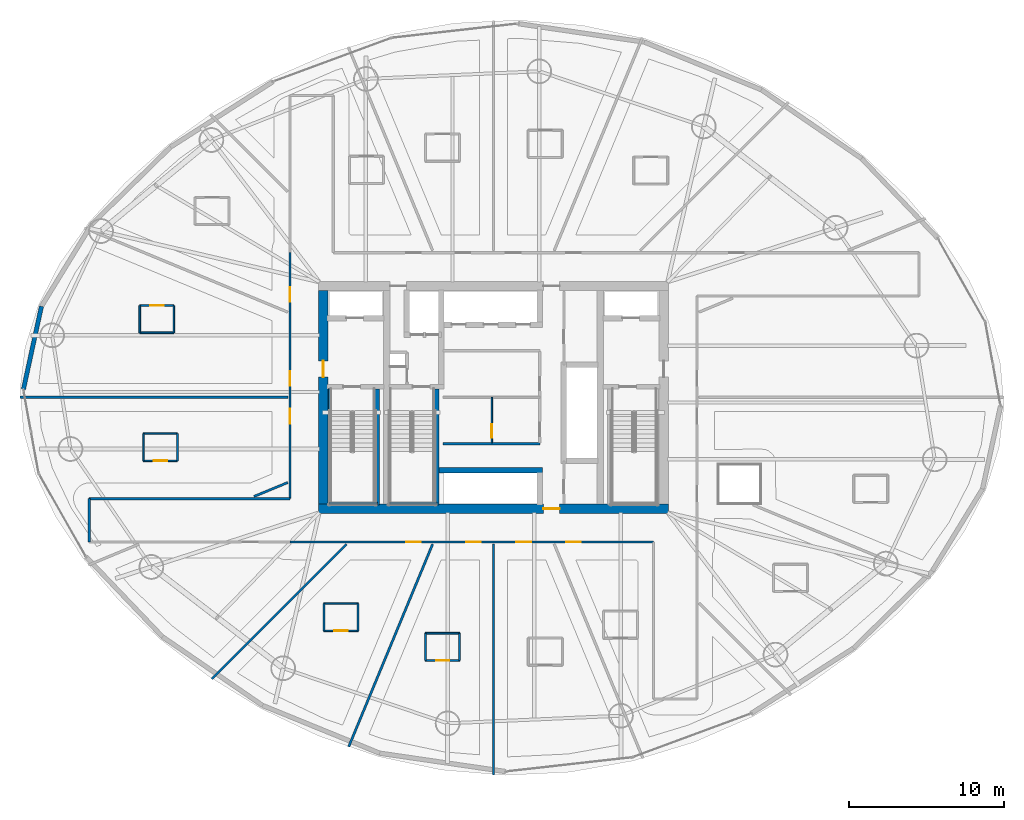
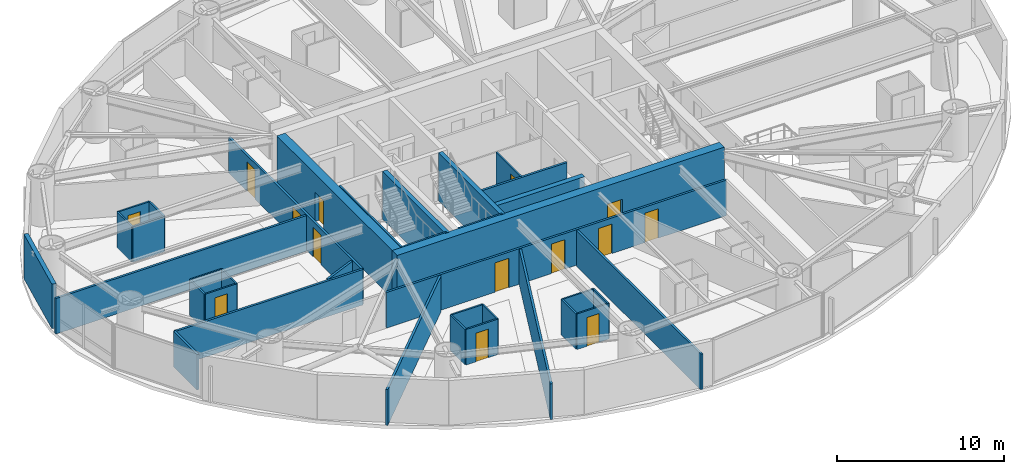
# One storey, part 19 of 27: 36 walls, 14 doors, 14 openings.
"""IFC4 building model written with IfcOpenShell, lengths in metres."""

from ifc_helpers import new_model, si_unit, direction, frame, frame_2d, origin, place, context, subcontext, project, spatial, rectangle, extrude, material, layer, layer_set, type_object, element, fill, save


model = new_model("IFC4")

# Units and contexts
model_context = context("Model", 3, precision=1e-05, world=origin(), true_north=direction((0.0, 1.0)))
body_context = subcontext(model_context, "Body", "Model", "MODEL_VIEW")
ifc_project = project(units=[si_unit("LENGTHUNIT", "METRE"), si_unit("AREAUNIT", "SQUARE_METRE"), si_unit("VOLUMEUNIT", "CUBIC_METRE"), si_unit("PLANEANGLEUNIT", "RADIAN"), si_unit("MASSUNIT", "GRAM", prefix="KILO")], contexts=[model_context])

# Site, building, storey
site_placement = place(None, origin())
site = spatial("IfcSite", under=ifc_project, at=site_placement, CompositionType="ELEMENT")
building_placement = place(site_placement, origin())
building = spatial("IfcBuilding", under=site, at=building_placement, Name="Bramvorn Convention Spire", CompositionType="ELEMENT")
storey_placement = place(building_placement, frame((0.0, 0.0, 41.39990234375)))
storey = spatial("IfcBuildingStorey", under=building, at=storey_placement, Name="L07", CompositionType="ELEMENT", Elevation=41.39990234375)

# Wall, opening, door
ifc_material_1 = material(Name="Concrete C60/70", Category="concrete")
ifc_layer_1 = layer(ifc_material_1, 0.60009765625)
ifc_layer_set_1 = layer_set([ifc_layer_1], Name="Concrete C60/70 - WL-CORE-600")
wall_type_1 = type_object("IfcWallType", Name="WL-CORE-600", PredefinedType="SHEAR", material=ifc_layer_set_1)
wall_1_placement = place(storey_placement, frame((26.699951171875, 18.800048828125, 0.0), z_axis=(0.0, 0.0, 1.0), x_axis=(1.0, 0.0, 0.0)))
wall_1 = element("IfcWall", 1, at=wall_1_placement, inside=storey, type_object=wall_type_1, Name="L07 South RC core shear wall", PredefinedType="SHEAR", context=body_context, shape_type="SweptSolid", body=[
    extrude(rectangle(XDim=22.60009765625, YDim=0.60009765625, at=frame_2d((11.300048828125, 0.0))), origin(), (0.0, 0.0, 1.0), 3.5),
])
opening_1_placement = place(wall_1_placement, frame((14.52001953125, 0.0, 0.0)))
opening_1 = element("IfcOpeningElement", 2, at=opening_1_placement, cuts=wall_1, Name="Opening DL-105", PredefinedType="OPENING", context=body_context, shape_type="SweptSolid", body=[
    extrude(rectangle(XDim=1.050048828125, YDim=2.14990234375, at=frame_2d((0.52490234375, 1.074951171875))), frame((0.0, 0.31005859375, 0.0), z_axis=(0.0, -1.0, 0.0), x_axis=(1.0, 0.0, 0.0)), (0.0, 0.0, 1.0), 0.6201171875),
])
ifc_material_2 = material(Name="Smoke-Sealed Fire Lobby Timber-Core Door", Category="wood")
door_type_1 = type_object("IfcDoorType", Name="DR-LOBBY-1050", OperationType="NOTDEFINED", PredefinedType="DOOR", material=ifc_material_2)
door_1_placement = place(opening_1_placement, origin())
door_1 = element("IfcDoor", 3, at=door_1_placement, inside=storey, type_object=door_type_1, Name="L07 South Lift Lobby fire door", OperationType="SINGLE_SWING_RIGHT", OverallHeight=2.14990234375, OverallWidth=1.050048828125, PredefinedType="DOOR", context=body_context, shape_type="SweptSolid", body=[
    extrude(rectangle(XDim=1.050048828125, YDim=2.14990234375, at=frame_2d((0.52490234375, 1.074951171875))), frame((0.0, 0.02490234375, 0.0), z_axis=(0.0, -1.0, 0.0), x_axis=(1.0, 0.0, 0.0)), (0.0, 0.0, 1.0), 0.050048828125),
])
fill(opening_1, door_1)

wall_2_placement = place(storey_placement, frame((27.0, 19.10009765625, 0.0), z_axis=(0.0, 0.0, 1.0), x_axis=(0.0, 1.0, 0.0)))
wall_2 = element("IfcWall", 4, at=wall_2_placement, inside=storey, type_object=wall_type_1, Name="L07 West RC core shear wall", PredefinedType="SHEAR", context=body_context, shape_type="SweptSolid", body=[
    extrude(rectangle(XDim=13.7998046875, YDim=0.60009765625, at=frame_2d((6.89990234375, 0.0))), origin(), (0.0, 0.0, 1.0), 3.5),
])
opening_2_placement = place(wall_2_placement, frame((8.199951171875, 0.0, 0.0)))
opening_2 = element("IfcOpeningElement", 5, at=opening_2_placement, cuts=wall_2, Name="Opening DL-105", PredefinedType="OPENING", context=body_context, shape_type="SweptSolid", body=[
    extrude(rectangle(XDim=1.050048828125, YDim=2.14990234375, at=frame_2d((0.52490234375, 1.074951171875))), frame((0.0, 0.31005859375, 0.0), z_axis=(0.0, -1.0, 0.0), x_axis=(1.0, 0.0, 0.0)), (0.0, 0.0, 1.0), 0.6201171875),
])
door_2_placement = place(opening_2_placement, origin())
door_2 = element("IfcDoor", 6, at=door_2_placement, inside=storey, type_object=door_type_1, Name="L07 West Firefighting Lobby corridor door", OperationType="SINGLE_SWING_RIGHT", OverallHeight=2.14990234375, OverallWidth=1.050048828125, PredefinedType="DOOR", context=body_context, shape_type="SweptSolid", body=[
    extrude(rectangle(XDim=1.050048828125, YDim=2.14990234375, at=frame_2d((0.52490234375, 1.074951171875))), frame((0.0, 0.02490234375, 0.0), z_axis=(0.0, -1.0, 0.0), x_axis=(1.0, 0.0, 0.0)), (0.0, 0.0, 1.0), 0.050048828125),
])
fill(opening_2, door_2)

# Walls
ifc_material_3 = material(Name="Concrete C50/60", Category="concrete")
ifc_layer_2 = layer(ifc_material_3, 0.35009765625)
ifc_layer_set_2 = layer_set([ifc_layer_2], Name="Concrete C50/60 - WL-CORE-INT-350")
wall_type_2 = type_object("IfcWallType", Name="WL-CORE-INT-350", PredefinedType="SHEAR", material=ifc_layer_set_2)
wall_3_placement = place(storey_placement, frame((34.489990234375, 21.300048828125, 0.0), z_axis=(0.0, 0.0, 1.0), x_axis=(1.0, 0.0, 0.0)))
element("IfcWall", 7, at=wall_3_placement, inside=storey, type_object=wall_type_2, Name="L07 Mid-rise bank north landing wall", PredefinedType="SHEAR", context=body_context, shape_type="SweptSolid", body=[
    extrude(rectangle(XDim=6.679931640625, YDim=0.35009765625, at=frame_2d((3.33984375, 0.0))), origin(), (0.0, 0.0, 1.0), 2.60009765625),
])
ifc_material_4 = material(Name="Precast Concrete C40/50 with Bronze Terracotta Rainscreen", Category="masonry")
ifc_layer_3 = layer(ifc_material_4, 0.300048828125)
ifc_layer_set_3 = layer_set([ifc_layer_3], Name="Precast Concrete C40/50 with Bronze Terracotta Rainscreen - WL-EXT-BRONZE-300")
wall_type_3 = type_object("IfcWallType", Name="WL-EXT-BRONZE-300", PredefinedType="SOLIDWALL", material=ifc_layer_set_3)
wall_4_placement = place(storey_placement, frame((7.624267578125, 26.503662109375, 0.0), z_axis=(0.0, 0.0, 1.0), x_axis=(0.211966847204, 0.977276857235, 0.0)))
element("IfcWall", 8, at=wall_4_placement, inside=storey, type_object=wall_type_3, Name="L07 expressed bronze Gothic lancet pier wall 12", PredefinedType="SOLIDWALL", context=body_context, shape_type="SweptSolid", body=[
    extrude(rectangle(XDim=5.49755859375, YDim=0.280029296875, at=frame_2d((2.748779296875, 0.0))), origin(), (0.0, 0.0, 1.0), 3.25),
])

# Wall, opening, door
ifc_material_5 = material(Name="Lightweight En-Suite & Wet-Wall Partition", Category="gypsum")
ifc_layer_4 = layer(ifc_material_5, 0.110107421875)
ifc_layer_set_4 = layer_set([ifc_layer_4], Name="Lightweight En-Suite & Wet-Wall Partition - WL-PART-110")
wall_type_4 = type_object("IfcWallType", Name="WL-PART-110", PredefinedType="PARTITIONING", material=ifc_layer_set_4)
wall_5_placement = place(storey_placement, frame((37.89990234375, 23.050048828125, 0.0), z_axis=(0.0, 0.0, 1.0), x_axis=(0.0, 1.0, 0.0)))
wall_5 = element("IfcWall", 9, at=wall_5_placement, inside=storey, type_object=wall_type_4, Name="L07 KA restroom subwall", PredefinedType="PARTITIONING", context=body_context, shape_type="SweptSolid", body=[
    extrude(rectangle(XDim=2.949951171875, YDim=0.110107421875, at=frame_2d((1.47509765625, 0.0))), origin(), (0.0, 0.0, 1.0), 2.60009765625),
])
opening_3_placement = place(wall_5_placement, frame((0.35009765625, 0.0, 0.0)))
opening_3 = element("IfcOpeningElement", 10, at=opening_3_placement, cuts=wall_5, Name="Opening DC-085", PredefinedType="OPENING", context=body_context, shape_type="SweptSolid", body=[
    extrude(rectangle(XDim=0.85009765625, YDim=2.10009765625, at=frame_2d((0.425048828125, 1.050048828125))), frame((0.0, 0.06494140625, 0.0), z_axis=(0.0, -1.0, 0.0), x_axis=(1.0, 0.0, 0.0)), (0.0, 0.0, 1.0), 0.130126953125),
])
ifc_material_6 = material(Name="Fire-Rated Core Washroom & IDF Door", Category="wood")
door_type_2 = type_object("IfcDoorType", Name="DR-CORE-850", OperationType="NOTDEFINED", PredefinedType="DOOR", material=ifc_material_6)
door_3_placement = place(opening_3_placement, origin())
door_3 = element("IfcDoor", 11, at=door_3_placement, inside=storey, type_object=door_type_2, Name="L07 Core IT Closet door", OperationType="SINGLE_SWING_LEFT", OverallHeight=2.10009765625, OverallWidth=0.85009765625, PredefinedType="DOOR", context=body_context, shape_type="SweptSolid", body=[
    extrude(rectangle(XDim=0.85009765625, YDim=2.10009765625, at=frame_2d((0.425048828125, 1.050048828125))), frame((0.0, 0.02490234375, 0.0), z_axis=(0.0, -1.0, 0.0), x_axis=(1.0, 0.0, 0.0)), (0.0, 0.0, 1.0), 0.050048828125),
])
fill(opening_3, door_3)

# Wall
wall_6_placement = place(storey_placement, frame((15.1494140625, 30.170654296875, 0.0), z_axis=(0.0, 0.0, 1.0), x_axis=(1.0, 0.0, 0.0)))
element("IfcWall", 12, at=wall_6_placement, inside=storey, type_object=wall_type_4, Name="Hotel Suite 0708 en-suite south wall", PredefinedType="PARTITIONING", context=body_context, shape_type="SweptSolid", body=[
    extrude(rectangle(XDim=2.2001953125, YDim=0.110107421875, at=frame_2d((1.10009765625, 0.0))), origin(), (0.0, 0.0, 1.0), 2.60009765625),
])

# Wall, opening, door
wall_7_placement = place(storey_placement, frame((15.1494140625, 31.9306640625, 0.0), z_axis=(0.0, 0.0, 1.0), x_axis=(1.0, 0.0, 0.0)))
wall_7 = element("IfcWall", 13, at=wall_7_placement, inside=storey, type_object=wall_type_4, Name="Hotel Suite 0708 en-suite north wall", PredefinedType="PARTITIONING", context=body_context, shape_type="SweptSolid", body=[
    extrude(rectangle(XDim=2.2001953125, YDim=0.110107421875, at=frame_2d((1.10009765625, 0.0))), origin(), (0.0, 0.0, 1.0), 2.60009765625),
])
opening_4_placement = place(wall_7_placement, frame((0.679931640625, 0.0, 0.0)))
opening_4 = element("IfcOpeningElement", 14, at=opening_4_placement, cuts=wall_7, Name="Opening DI-085", PredefinedType="OPENING", context=body_context, shape_type="SweptSolid", body=[
    extrude(rectangle(XDim=0.85009765625, YDim=2.10009765625, at=frame_2d((0.425048828125, 1.050048828125))), frame((0.0, 0.06494140625, 0.0), z_axis=(0.0, -1.0, 0.0), x_axis=(1.0, 0.0, 0.0)), (0.0, 0.0, 1.0), 0.130126953125),
])
ifc_material_7 = material(Name="En-Suite & Restroom Privacy Door", Category="wood")
door_type_3 = type_object("IfcDoorType", Name="DR-INT-850", OperationType="NOTDEFINED", PredefinedType="DOOR", material=ifc_material_7)
door_4_placement = place(opening_4_placement, origin())
door_4 = element("IfcDoor", 15, at=door_4_placement, inside=storey, type_object=door_type_3, Name="Hotel Suite 0708 En-Suite Bathroom door", OperationType="SINGLE_SWING_LEFT", OverallHeight=2.10009765625, OverallWidth=0.85009765625, PredefinedType="DOOR", context=body_context, shape_type="SweptSolid", body=[
    extrude(rectangle(XDim=0.85009765625, YDim=2.10009765625, at=frame_2d((0.425048828125, 1.050048828125))), frame((0.0, 0.02490234375, 0.0), z_axis=(0.0, -1.0, 0.0), x_axis=(1.0, 0.0, 0.0)), (0.0, 0.0, 1.0), 0.050048828125),
])
fill(opening_4, door_4)

# Walls
for number, where, z_axis, x_axis, name in (
    (16, (15.1494140625, 30.170654296875, 0.0), (0.0, 0.0, 1.0), (0.0, 1.0, 0.0), "Hotel Suite 0708 en-suite west wall"),
    (17, (17.349609375, 30.170654296875, 0.0), (0.0, 0.0, 1.0), (0.0, 1.0, 0.0), "Hotel Suite 0708 en-suite east wall"),
):
    element("IfcWall", number, at=place(storey_placement, frame(where, z_axis=z_axis, x_axis=x_axis)), inside=storey, type_object=wall_type_4, Name=name, PredefinedType="PARTITIONING", context=body_context, shape_type="SweptSolid", body=[
        extrude(rectangle(XDim=1.760009765625, YDim=0.110107421875, at=frame_2d((0.8798828125, 0.0))), origin(), (0.0, 0.0, 1.0), 2.60009765625),
    ])

# Wall, opening, door
wall_8_placement = place(storey_placement, frame((15.37841796875, 21.89453125, 0.0), z_axis=(0.0, 0.0, 1.0), x_axis=(1.0, 0.0, 0.0)))
wall_8 = element("IfcWall", 18, at=wall_8_placement, inside=storey, type_object=wall_type_4, Name="Hotel Suite 0709 en-suite south wall", PredefinedType="PARTITIONING", context=body_context, shape_type="SweptSolid", body=[
    extrude(rectangle(XDim=2.199951171875, YDim=0.110107421875, at=frame_2d((1.10009765625, 0.0))), origin(), (0.0, 0.0, 1.0), 2.60009765625),
])
opening_5_placement = place(wall_8_placement, frame((0.679931640625, 0.0, 0.0)))
opening_5 = element("IfcOpeningElement", 19, at=opening_5_placement, cuts=wall_8, Name="Opening DI-085", PredefinedType="OPENING", context=body_context, shape_type="SweptSolid", body=[
    extrude(rectangle(XDim=0.85009765625, YDim=2.10009765625, at=frame_2d((0.425048828125, 1.050048828125))), frame((0.0, 0.06494140625, 0.0), z_axis=(0.0, -1.0, 0.0), x_axis=(1.0, 0.0, 0.0)), (0.0, 0.0, 1.0), 0.130126953125),
])
door_5_placement = place(opening_5_placement, origin())
door_5 = element("IfcDoor", 20, at=door_5_placement, inside=storey, type_object=door_type_3, Name="Hotel Suite 0709 En-Suite Bathroom door", OperationType="SINGLE_SWING_LEFT", OverallHeight=2.10009765625, OverallWidth=0.85009765625, PredefinedType="DOOR", context=body_context, shape_type="SweptSolid", body=[
    extrude(rectangle(XDim=0.85009765625, YDim=2.10009765625, at=frame_2d((0.425048828125, 1.050048828125))), frame((0.0, 0.02490234375, 0.0), z_axis=(0.0, -1.0, 0.0), x_axis=(1.0, 0.0, 0.0)), (0.0, 0.0, 1.0), 0.050048828125),
])
fill(opening_5, door_5)

# Walls
wall_9_placement = place(storey_placement, frame((15.37841796875, 23.654541015625, 0.0), z_axis=(0.0, 0.0, 1.0), x_axis=(1.0, 0.0, 0.0)))
element("IfcWall", 21, at=wall_9_placement, inside=storey, type_object=wall_type_4, Name="Hotel Suite 0709 en-suite north wall", PredefinedType="PARTITIONING", context=body_context, shape_type="SweptSolid", body=[
    extrude(rectangle(XDim=2.199951171875, YDim=0.110107421875, at=frame_2d((1.10009765625, 0.0))), origin(), (0.0, 0.0, 1.0), 2.60009765625),
])
for number, where, z_axis, x_axis, name in (
    (22, (15.37841796875, 21.89453125, 0.0), (0.0, 0.0, 1.0), (0.0, 1.0, 0.0), "Hotel Suite 0709 en-suite west wall"),
    (23, (17.578369140625, 21.89453125, 0.0), (0.0, 0.0, 1.0), (0.0, 1.0, 0.0), "Hotel Suite 0709 en-suite east wall"),
):
    element("IfcWall", number, at=place(storey_placement, frame(where, z_axis=z_axis, x_axis=x_axis)), inside=storey, type_object=wall_type_4, Name=name, PredefinedType="PARTITIONING", context=body_context, shape_type="SweptSolid", body=[
        extrude(rectangle(XDim=1.760009765625, YDim=0.110107421875, at=frame_2d((0.8798828125, 0.0))), origin(), (0.0, 0.0, 1.0), 2.60009765625),
    ])

# Wall, opening, door
wall_10_placement = place(storey_placement, frame((27.048828125, 10.90673828125, 0.0), z_axis=(0.0, 0.0, 1.0), x_axis=(1.0, 0.0, 0.0)))
wall_10 = element("IfcWall", 24, at=wall_10_placement, inside=storey, type_object=wall_type_4, Name="Hotel Suite 0711 en-suite south wall", PredefinedType="PARTITIONING", context=body_context, shape_type="SweptSolid", body=[
    extrude(rectangle(XDim=2.199951171875, YDim=0.110107421875, at=frame_2d((1.10009765625, 0.0))), origin(), (0.0, 0.0, 1.0), 2.60009765625),
])
opening_6_placement = place(wall_10_placement, frame((0.679931640625, 0.0, 0.0)))
opening_6 = element("IfcOpeningElement", 25, at=opening_6_placement, cuts=wall_10, Name="Opening DI-085", PredefinedType="OPENING", context=body_context, shape_type="SweptSolid", body=[
    extrude(rectangle(XDim=0.85009765625, YDim=2.10009765625, at=frame_2d((0.425048828125, 1.050048828125))), frame((0.0, 0.06494140625, 0.0), z_axis=(0.0, -1.0, 0.0), x_axis=(1.0, 0.0, 0.0)), (0.0, 0.0, 1.0), 0.130126953125),
])
door_6_placement = place(opening_6_placement, origin())
door_6 = element("IfcDoor", 26, at=door_6_placement, inside=storey, type_object=door_type_3, Name="Hotel Suite 0711 En-Suite Bathroom door", OperationType="SINGLE_SWING_LEFT", OverallHeight=2.10009765625, OverallWidth=0.85009765625, PredefinedType="DOOR", context=body_context, shape_type="SweptSolid", body=[
    extrude(rectangle(XDim=0.85009765625, YDim=2.10009765625, at=frame_2d((0.425048828125, 1.050048828125))), frame((0.0, 0.02490234375, 0.0), z_axis=(0.0, -1.0, 0.0), x_axis=(1.0, 0.0, 0.0)), (0.0, 0.0, 1.0), 0.050048828125),
])
fill(opening_6, door_6)

# Walls
wall_11_placement = place(storey_placement, frame((27.048828125, 12.666748046875, 0.0), z_axis=(0.0, 0.0, 1.0), x_axis=(1.0, 0.0, 0.0)))
element("IfcWall", 27, at=wall_11_placement, inside=storey, type_object=wall_type_4, Name="Hotel Suite 0711 en-suite north wall", PredefinedType="PARTITIONING", context=body_context, shape_type="SweptSolid", body=[
    extrude(rectangle(XDim=2.199951171875, YDim=0.110107421875, at=frame_2d((1.10009765625, 0.0))), origin(), (0.0, 0.0, 1.0), 2.60009765625),
])
for number, where, z_axis, x_axis, name in (
    (28, (27.048828125, 10.90673828125, 0.0), (0.0, 0.0, 1.0), (0.0, 1.0, 0.0), "Hotel Suite 0711 en-suite west wall"),
    (29, (29.248779296875, 10.90673828125, 0.0), (0.0, 0.0, 1.0), (0.0, 1.0, 0.0), "Hotel Suite 0711 en-suite east wall"),
):
    element("IfcWall", number, at=place(storey_placement, frame(where, z_axis=z_axis, x_axis=x_axis)), inside=storey, type_object=wall_type_4, Name=name, PredefinedType="PARTITIONING", context=body_context, shape_type="SweptSolid", body=[
        extrude(rectangle(XDim=1.760009765625, YDim=0.110107421875, at=frame_2d((0.8798828125, 0.0))), origin(), (0.0, 0.0, 1.0), 2.60009765625),
    ])

# Wall, opening, door
wall_12_placement = place(storey_placement, frame((33.609375, 8.99267578125, 0.0), z_axis=(0.0, 0.0, 1.0), x_axis=(1.0, 0.0, 0.0)))
wall_12 = element("IfcWall", 30, at=wall_12_placement, inside=storey, type_object=wall_type_4, Name="Hotel Suite 0712 en-suite south wall", PredefinedType="PARTITIONING", context=body_context, shape_type="SweptSolid", body=[
    extrude(rectangle(XDim=2.199951171875, YDim=0.110107421875, at=frame_2d((1.10009765625, 0.0))), origin(), (0.0, 0.0, 1.0), 2.60009765625),
])
opening_7_placement = place(wall_12_placement, frame((0.679931640625, 0.0, 0.0)))
opening_7 = element("IfcOpeningElement", 31, at=opening_7_placement, cuts=wall_12, Name="Opening DI-085", PredefinedType="OPENING", context=body_context, shape_type="SweptSolid", body=[
    extrude(rectangle(XDim=0.85009765625, YDim=2.10009765625, at=frame_2d((0.425048828125, 1.050048828125))), frame((0.0, 0.06494140625, 0.0), z_axis=(0.0, -1.0, 0.0), x_axis=(1.0, 0.0, 0.0)), (0.0, 0.0, 1.0), 0.130126953125),
])
door_7_placement = place(opening_7_placement, origin())
door_7 = element("IfcDoor", 32, at=door_7_placement, inside=storey, type_object=door_type_3, Name="Hotel Suite 0712 En-Suite Bathroom door", OperationType="SINGLE_SWING_LEFT", OverallHeight=2.10009765625, OverallWidth=0.85009765625, PredefinedType="DOOR", context=body_context, shape_type="SweptSolid", body=[
    extrude(rectangle(XDim=0.85009765625, YDim=2.10009765625, at=frame_2d((0.425048828125, 1.050048828125))), frame((0.0, 0.02490234375, 0.0), z_axis=(0.0, -1.0, 0.0), x_axis=(1.0, 0.0, 0.0)), (0.0, 0.0, 1.0), 0.050048828125),
])
fill(opening_7, door_7)

# Walls
wall_13_placement = place(storey_placement, frame((33.609375, 10.752685546875, 0.0), z_axis=(0.0, 0.0, 1.0), x_axis=(1.0, 0.0, 0.0)))
element("IfcWall", 33, at=wall_13_placement, inside=storey, type_object=wall_type_4, Name="Hotel Suite 0712 en-suite north wall", PredefinedType="PARTITIONING", context=body_context, shape_type="SweptSolid", body=[
    extrude(rectangle(XDim=2.199951171875, YDim=0.110107421875, at=frame_2d((1.10009765625, 0.0))), origin(), (0.0, 0.0, 1.0), 2.60009765625),
])
for number, where, z_axis, x_axis, name in (
    (34, (33.609375, 8.99267578125, 0.0), (0.0, 0.0, 1.0), (0.0, 1.0, 0.0), "Hotel Suite 0712 en-suite west wall"),
    (35, (35.809326171875, 8.99267578125, 0.0), (0.0, 0.0, 1.0), (0.0, 1.0, 0.0), "Hotel Suite 0712 en-suite east wall"),
):
    element("IfcWall", number, at=place(storey_placement, frame(where, z_axis=z_axis, x_axis=x_axis)), inside=storey, type_object=wall_type_4, Name=name, PredefinedType="PARTITIONING", context=body_context, shape_type="SweptSolid", body=[
        extrude(rectangle(XDim=1.760009765625, YDim=0.110107421875, at=frame_2d((0.8798828125, 0.0))), origin(), (0.0, 0.0, 1.0), 2.60009765625),
    ])
ifc_material_8 = material(Name="Acoustic Metal-Stud Tenant/Corridor Partition", Category="gypsum")
ifc_layer_5 = layer(ifc_material_8, 0.14990234375)
ifc_layer_set_5 = layer_set([ifc_layer_5], Name="Acoustic Metal-Stud Tenant/Corridor Partition - WL-PART-150")
wall_type_5 = type_object("IfcWallType", Name="WL-PART-150", PredefinedType="PARTITIONING", material=ifc_layer_set_5)
wall_14_placement = place(storey_placement, frame((34.75, 23.0, 0.0), z_axis=(0.0, 0.0, 1.0), x_axis=(1.0, 0.0, 0.0)))
element("IfcWall", 36, at=wall_14_placement, inside=storey, type_object=wall_type_5, Name="L07 Mid-rise lift vestibule north wall", PredefinedType="PARTITIONING", context=body_context, shape_type="SweptSolid", body=[
    extrude(rectangle(XDim=6.25, YDim=0.14990234375, at=frame_2d((3.125, 0.0))), origin(), (0.0, 0.0, 1.0), 2.60009765625),
])

# Wall, openings, doors
wall_15_placement = place(storey_placement, frame((24.85009765625, 16.64990234375, 0.0), z_axis=(0.0, 0.0, 1.0), x_axis=(1.0, 0.0, 0.0)))
wall_15 = element("IfcWall", 37, at=wall_15_placement, inside=storey, type_object=wall_type_5, Name="L07 South ring corridor wall", PredefinedType="PARTITIONING", context=body_context, shape_type="SweptSolid", body=[
    extrude(rectangle(XDim=23.5, YDim=0.14990234375, at=frame_2d((11.75, 0.0))), origin(), (0.0, 0.0, 1.0), 2.60009765625),
])
opening_8_placement = place(wall_15_placement, frame((7.5048828125, 0.0, 0.0)))
opening_8 = element("IfcOpeningElement", 38, at=opening_8_placement, cuts=wall_15, Name="Opening DH-095", PredefinedType="OPENING", context=body_context, shape_type="SweptSolid", body=[
    extrude(rectangle(XDim=0.949951171875, YDim=2.14990234375, at=frame_2d((0.47509765625, 1.074951171875))), frame((0.0, 0.0849609375, 0.0), z_axis=(0.0, -1.0, 0.0), x_axis=(1.0, 0.0, 0.0)), (0.0, 0.0, 1.0), 0.169921875),
])
opening_9_placement = place(wall_15_placement, frame((11.39111328125, 0.0, 0.0)))
opening_9 = element("IfcOpeningElement", 39, at=opening_9_placement, cuts=wall_15, Name="Opening DH-095", PredefinedType="OPENING", context=body_context, shape_type="SweptSolid", body=[
    extrude(rectangle(XDim=0.949951171875, YDim=2.14990234375, at=frame_2d((0.47509765625, 1.074951171875))), frame((0.0, 0.0849609375, 0.0), z_axis=(0.0, -1.0, 0.0), x_axis=(1.0, 0.0, 0.0)), (0.0, 0.0, 1.0), 0.169921875),
])
opening_10_placement = place(wall_15_placement, frame((14.636474609375, 0.0, 0.0)))
opening_10 = element("IfcOpeningElement", 40, at=opening_10_placement, cuts=wall_15, Name="Opening DH-095", PredefinedType="OPENING", context=body_context, shape_type="SweptSolid", body=[
    extrude(rectangle(XDim=0.949951171875, YDim=2.14990234375, at=frame_2d((0.47509765625, 1.074951171875))), frame((0.0, 0.0849609375, 0.0), z_axis=(0.0, -1.0, 0.0), x_axis=(1.0, 0.0, 0.0)), (0.0, 0.0, 1.0), 0.169921875),
])
opening_11_placement = place(wall_15_placement, frame((17.84521484375, 0.0, 0.0)))
opening_11 = element("IfcOpeningElement", 41, at=opening_11_placement, cuts=wall_15, Name="Opening DH-095", PredefinedType="OPENING", context=body_context, shape_type="SweptSolid", body=[
    extrude(rectangle(XDim=0.949951171875, YDim=2.14990234375, at=frame_2d((0.47509765625, 1.074951171875))), frame((0.0, 0.0849609375, 0.0), z_axis=(0.0, -1.0, 0.0), x_axis=(1.0, 0.0, 0.0)), (0.0, 0.0, 1.0), 0.169921875),
])
ifc_material_9 = material(Name="Solid-Core Acoustic Guestroom Entry Door", Category="wood")
door_type_4 = type_object("IfcDoorType", Name="DR-HOTEL-950", OperationType="NOTDEFINED", PredefinedType="DOOR", material=ifc_material_9)
door_8_placement = place(opening_8_placement, origin())
door_8 = element("IfcDoor", 42, at=door_8_placement, inside=storey, type_object=door_type_4, Name="Hotel Suite 0711 entry door", OperationType="SINGLE_SWING_RIGHT", OverallHeight=2.14990234375, OverallWidth=0.949951171875, PredefinedType="DOOR", context=body_context, shape_type="SweptSolid", body=[
    extrude(rectangle(XDim=0.949951171875, YDim=2.14990234375, at=frame_2d((0.47509765625, 1.074951171875))), frame((0.0, 0.02490234375, 0.0), z_axis=(0.0, -1.0, 0.0), x_axis=(1.0, 0.0, 0.0)), (0.0, 0.0, 1.0), 0.050048828125),
])
fill(opening_8, door_8)
door_9_placement = place(opening_9_placement, origin())
door_9 = element("IfcDoor", 43, at=door_9_placement, inside=storey, type_object=door_type_4, Name="Hotel Suite 0712 entry door", OperationType="SINGLE_SWING_RIGHT", OverallHeight=2.14990234375, OverallWidth=0.949951171875, PredefinedType="DOOR", context=body_context, shape_type="SweptSolid", body=[
    extrude(rectangle(XDim=0.949951171875, YDim=2.14990234375, at=frame_2d((0.47509765625, 1.074951171875))), frame((0.0, 0.02490234375, 0.0), z_axis=(0.0, -1.0, 0.0), x_axis=(1.0, 0.0, 0.0)), (0.0, 0.0, 1.0), 0.050048828125),
])
fill(opening_9, door_9)
door_10_placement = place(opening_10_placement, origin())
door_10 = element("IfcDoor", 44, at=door_10_placement, inside=storey, type_object=door_type_4, Name="Hotel Suite 0713 entry door", OperationType="SINGLE_SWING_LEFT", OverallHeight=2.14990234375, OverallWidth=0.949951171875, PredefinedType="DOOR", context=body_context, shape_type="SweptSolid", body=[
    extrude(rectangle(XDim=0.949951171875, YDim=2.14990234375, at=frame_2d((0.47509765625, 1.074951171875))), frame((0.0, 0.02490234375, 0.0), z_axis=(0.0, -1.0, 0.0), x_axis=(1.0, 0.0, 0.0)), (0.0, 0.0, 1.0), 0.050048828125),
])
fill(opening_10, door_10)
door_11_placement = place(opening_11_placement, origin())
door_11 = element("IfcDoor", 45, at=door_11_placement, inside=storey, type_object=door_type_4, Name="Hotel Suite 0714 entry door", OperationType="SINGLE_SWING_LEFT", OverallHeight=2.14990234375, OverallWidth=0.949951171875, PredefinedType="DOOR", context=body_context, shape_type="SweptSolid", body=[
    extrude(rectangle(XDim=0.949951171875, YDim=2.14990234375, at=frame_2d((0.47509765625, 1.074951171875))), frame((0.0, 0.02490234375, 0.0), z_axis=(0.0, -1.0, 0.0), x_axis=(1.0, 0.0, 0.0)), (0.0, 0.0, 1.0), 0.050048828125),
])
fill(opening_11, door_11)

wall_16_placement = place(storey_placement, frame((24.85009765625, 19.449951171875, 0.0), z_axis=(0.0, 0.0, 1.0), x_axis=(0.0, 1.0, 0.0)))
wall_16 = element("IfcWall", 46, at=wall_16_placement, inside=storey, type_object=wall_type_5, Name="L07 West ring corridor wall", PredefinedType="PARTITIONING", context=body_context, shape_type="SweptSolid", body=[
    extrude(rectangle(XDim=15.900146484375, YDim=0.14990234375, at=frame_2d((7.9501953125, 0.0))), origin(), (0.0, 0.0, 1.0), 2.60009765625),
])
opening_12_placement = place(wall_16_placement, frame((12.7275390625, 0.0, 0.0)))
opening_12 = element("IfcOpeningElement", 47, at=opening_12_placement, cuts=wall_16, Name="Opening DH-095", PredefinedType="OPENING", context=body_context, shape_type="SweptSolid", body=[
    extrude(rectangle(XDim=0.949951171875, YDim=2.14990234375, at=frame_2d((0.47509765625, 1.074951171875))), frame((0.0, 0.0849609375, 0.0), z_axis=(0.0, -1.0, 0.0), x_axis=(1.0, 0.0, 0.0)), (0.0, 0.0, 1.0), 0.169921875),
])
opening_13_placement = place(wall_16_placement, frame((7.30078125, 0.0, 0.0)))
opening_13 = element("IfcOpeningElement", 48, at=opening_13_placement, cuts=wall_16, Name="Opening DH-095", PredefinedType="OPENING", context=body_context, shape_type="SweptSolid", body=[
    extrude(rectangle(XDim=0.949951171875, YDim=2.14990234375, at=frame_2d((0.47509765625, 1.074951171875))), frame((0.0, 0.0849609375, 0.0), z_axis=(0.0, -1.0, 0.0), x_axis=(1.0, 0.0, 0.0)), (0.0, 0.0, 1.0), 0.169921875),
])
opening_14_placement = place(wall_16_placement, frame((4.84912109375, 0.0, 0.0)))
opening_14 = element("IfcOpeningElement", 49, at=opening_14_placement, cuts=wall_16, Name="Opening DH-095", PredefinedType="OPENING", context=body_context, shape_type="SweptSolid", body=[
    extrude(rectangle(XDim=0.949951171875, YDim=2.14990234375, at=frame_2d((0.47509765625, 1.074951171875))), frame((0.0, 0.0849609375, 0.0), z_axis=(0.0, -1.0, 0.0), x_axis=(1.0, 0.0, 0.0)), (0.0, 0.0, 1.0), 0.169921875),
])
door_12_placement = place(opening_12_placement, origin())
door_12 = element("IfcDoor", 50, at=door_12_placement, inside=storey, type_object=door_type_4, Name="Hotel Suite 0707 entry door", OperationType="SINGLE_SWING_RIGHT", OverallHeight=2.14990234375, OverallWidth=0.949951171875, PredefinedType="DOOR", context=body_context, shape_type="SweptSolid", body=[
    extrude(rectangle(XDim=0.949951171875, YDim=2.14990234375, at=frame_2d((0.47509765625, 1.074951171875))), frame((0.0, 0.02490234375, 0.0), z_axis=(0.0, -1.0, 0.0), x_axis=(1.0, 0.0, 0.0)), (0.0, 0.0, 1.0), 0.050048828125),
])
fill(opening_12, door_12)
door_13_placement = place(opening_13_placement, origin())
door_13 = element("IfcDoor", 51, at=door_13_placement, inside=storey, type_object=door_type_4, Name="Hotel Suite 0708 entry door", OperationType="SINGLE_SWING_RIGHT", OverallHeight=2.14990234375, OverallWidth=0.949951171875, PredefinedType="DOOR", context=body_context, shape_type="SweptSolid", body=[
    extrude(rectangle(XDim=0.949951171875, YDim=2.14990234375, at=frame_2d((0.47509765625, 1.074951171875))), frame((0.0, 0.02490234375, 0.0), z_axis=(0.0, -1.0, 0.0), x_axis=(1.0, 0.0, 0.0)), (0.0, 0.0, 1.0), 0.050048828125),
])
fill(opening_13, door_13)
door_14_placement = place(opening_14_placement, origin())
door_14 = element("IfcDoor", 52, at=door_14_placement, inside=storey, type_object=door_type_4, Name="Hotel Suite 0709 entry door", OperationType="SINGLE_SWING_RIGHT", OverallHeight=2.14990234375, OverallWidth=0.949951171875, PredefinedType="DOOR", context=body_context, shape_type="SweptSolid", body=[
    extrude(rectangle(XDim=0.949951171875, YDim=2.14990234375, at=frame_2d((0.47509765625, 1.074951171875))), frame((0.0, 0.02490234375, 0.0), z_axis=(0.0, -1.0, 0.0), x_axis=(1.0, 0.0, 0.0)), (0.0, 0.0, 1.0), 0.050048828125),
])
fill(opening_14, door_14)

# Walls
wall_17_placement = place(storey_placement, frame((11.87353515625, 19.449951171875, 0.0), z_axis=(0.0, 0.0, 1.0), x_axis=(1.0, 0.0, 0.0)))
element("IfcWall", 53, at=wall_17_placement, inside=storey, type_object=wall_type_5, Name="L07 SW pinwheel wing north wall", PredefinedType="PARTITIONING", context=body_context, shape_type="SweptSolid", body=[
    extrude(rectangle(XDim=12.9765625, YDim=0.14990234375, at=frame_2d((6.48828125, 0.0))), origin(), (0.0, 0.0, 1.0), 2.60009765625),
])
wall_18_placement = place(storey_placement, frame((11.87353515625, 16.64990234375, 0.0), z_axis=(0.0, 0.0, 1.0), x_axis=(0.0, 1.0, 0.0)))
element("IfcWall", 54, at=wall_18_placement, inside=storey, type_object=wall_type_5, Name="L07 SW pinwheel end wall", PredefinedType="PARTITIONING", context=body_context, shape_type="SweptSolid", body=[
    extrude(rectangle(XDim=2.800048828125, YDim=0.14990234375, at=frame_2d((1.39990234375, 0.0))), origin(), (0.0, 0.0, 1.0), 2.60009765625),
])
wall_19_placement = place(storey_placement, frame((24.7099609375, 26.0, 0.0), z_axis=(0.0, 0.0, 1.0), x_axis=(-1.0, 0.0, 0.0)))
element("IfcWall", 55, at=wall_19_placement, inside=storey, type_object=wall_type_5, Name="L07 Guestroom demising wall 9", PredefinedType="PARTITIONING", context=body_context, shape_type="SweptSolid", body=[
    extrude(rectangle(XDim=17.29345703125, YDim=0.14990234375, at=frame_2d((8.646728515625, 0.0))), origin(), (0.0, 0.0, 1.0), 2.60009765625),
])
wall_20_placement = place(storey_placement, frame((24.7099609375, 20.4951171875, 0.0), z_axis=(0.0, 0.0, 1.0), x_axis=(-0.923887247067, -0.382664807249, 0.0)))
element("IfcWall", 56, at=wall_20_placement, inside=storey, type_object=wall_type_5, Name="L07 Guestroom demising wall 10", PredefinedType="PARTITIONING", context=body_context, shape_type="SweptSolid", body=[
    extrude(rectangle(XDim=2.364990234375, YDim=0.14990234375, at=frame_2d((1.1826171875, 0.0))), origin(), (0.0, 0.0, 1.0), 2.60009765625),
])
wall_21_placement = place(storey_placement, frame((28.510009765625, 16.510009765625, 0.0), z_axis=(0.0, 0.0, 1.0), x_axis=(-0.707106781187, -0.707106781187, 0.0)))
element("IfcWall", 57, at=wall_21_placement, inside=storey, type_object=wall_type_5, Name="L07 Guestroom demising wall 11", PredefinedType="PARTITIONING", context=body_context, shape_type="SweptSolid", body=[
    extrude(rectangle(XDim=12.311767578125, YDim=0.14990234375, at=frame_2d((6.15576171875, 0.0))), origin(), (0.0, 0.0, 1.0), 2.60009765625),
])
wall_22_placement = place(storey_placement, frame((34.069091796875, 16.510009765625, 0.0), z_axis=(0.0, 0.0, 1.0), x_axis=(-0.3826802801, -0.923880838216, 0.0)))
element("IfcWall", 58, at=wall_22_placement, inside=storey, type_object=wall_type_5, Name="L07 Guestroom demising wall 12", PredefinedType="PARTITIONING", context=body_context, shape_type="SweptSolid", body=[
    extrude(rectangle(XDim=14.178466796875, YDim=0.14990234375, at=frame_2d((7.08935546875, 0.0))), origin(), (0.0, 0.0, 1.0), 2.60009765625),
])
wall_23_placement = place(storey_placement, frame((38.0, 16.510009765625, 0.0), z_axis=(0.0, 0.0, 1.0), x_axis=(0.0, -1.0, 0.0)))
element("IfcWall", 59, at=wall_23_placement, inside=storey, type_object=wall_type_5, Name="L07 Guestroom demising wall 13", PredefinedType="PARTITIONING", context=body_context, shape_type="SweptSolid", body=[
    extrude(rectangle(XDim=14.902099609375, YDim=0.14990234375, at=frame_2d((7.451171875, 0.0))), origin(), (0.0, 0.0, 1.0), 2.60009765625),
])
ifc_layer_6 = layer(ifc_material_3, 0.300048828125)
ifc_layer_set_6 = layer_set([ifc_layer_6], Name="Concrete C50/60 - WL-POD-STAIR-300")
wall_type_6 = type_object("IfcWallType", Name="WL-POD-STAIR-300", PredefinedType="SHEAR", material=ifc_layer_set_6)
for number, where, z_axis, x_axis, name in (
    (60, (30.489990234375, 19.050048828125, 0.0), (0.0, 0.0, 1.0), (0.0, 1.0, 0.0), "L07 ST1 east bearing wall"),
    (61, (34.340087890625, 19.050048828125, 0.0), (0.0, 0.0, 1.0), (0.0, 1.0, 0.0), "L07 ST3 east bearing wall"),
):
    element("IfcWall", number, at=place(storey_placement, frame(where, z_axis=z_axis, x_axis=x_axis)), inside=storey, type_object=wall_type_6, Name=name, PredefinedType="SHEAR", context=body_context, shape_type="SweptSolid", body=[
        extrude(rectangle(XDim=7.5, YDim=0.300048828125, at=frame_2d((3.75, 0.0))), origin(), (0.0, 0.0, 1.0), 3.5),
    ])
ifc_layer_7 = layer(ifc_material_3, 0.1201171875)
ifc_layer_set_7 = layer_set([ifc_layer_7], Name="Concrete C50/60 - WL-STAIR-RC-120")
wall_type_7 = type_object("IfcWallType", Name="WL-STAIR-RC-120", PredefinedType="SHEAR", material=ifc_layer_set_7)
wall_24_placement = place(storey_placement, frame((27.39501953125, 19.10009765625, 0.0), z_axis=(0.0, 0.0, 1.0), x_axis=(0.0, 1.0, 0.0)))
element("IfcWall", 62, at=wall_24_placement, inside=storey, type_object=wall_type_7, Name="L07 ST1 west bearing shear wall", PredefinedType="SHEAR", context=body_context, shape_type="SweptSolid", body=[
    extrude(rectangle(XDim=7.449951171875, YDim=0.1201171875, at=frame_2d((3.72509765625, 0.0))), origin(), (0.0, 0.0, 1.0), 3.5),
])
wall_25_placement = place(storey_placement, frame((27.39501953125, 19.159912109375, 0.0), z_axis=(0.0, 0.0, 1.0), x_axis=(1.0, 0.0, 0.0)))
element("IfcWall", 63, at=wall_25_placement, inside=storey, type_object=wall_type_7, Name="L07 ST1 south bearing shear wall", PredefinedType="SHEAR", context=body_context, shape_type="SweptSolid", body=[
    extrude(rectangle(XDim=3.094970703125, YDim=0.1201171875, at=frame_2d((1.54736328125, 0.0))), origin(), (0.0, 0.0, 1.0), 3.5),
])
wall_26_placement = place(storey_placement, frame((31.300048828125, 19.159912109375, 0.0), z_axis=(0.0, 0.0, 1.0), x_axis=(1.0, 0.0, 0.0)))
element("IfcWall", 64, at=wall_26_placement, inside=storey, type_object=wall_type_7, Name="L07 ST3 south bearing shear wall", PredefinedType="SHEAR", context=body_context, shape_type="SweptSolid", body=[
    extrude(rectangle(XDim=3.0400390625, YDim=0.1201171875, at=frame_2d((1.52001953125, 0.0))), origin(), (0.0, 0.0, 1.0), 3.5),
])

save(model, "model.ifc")
